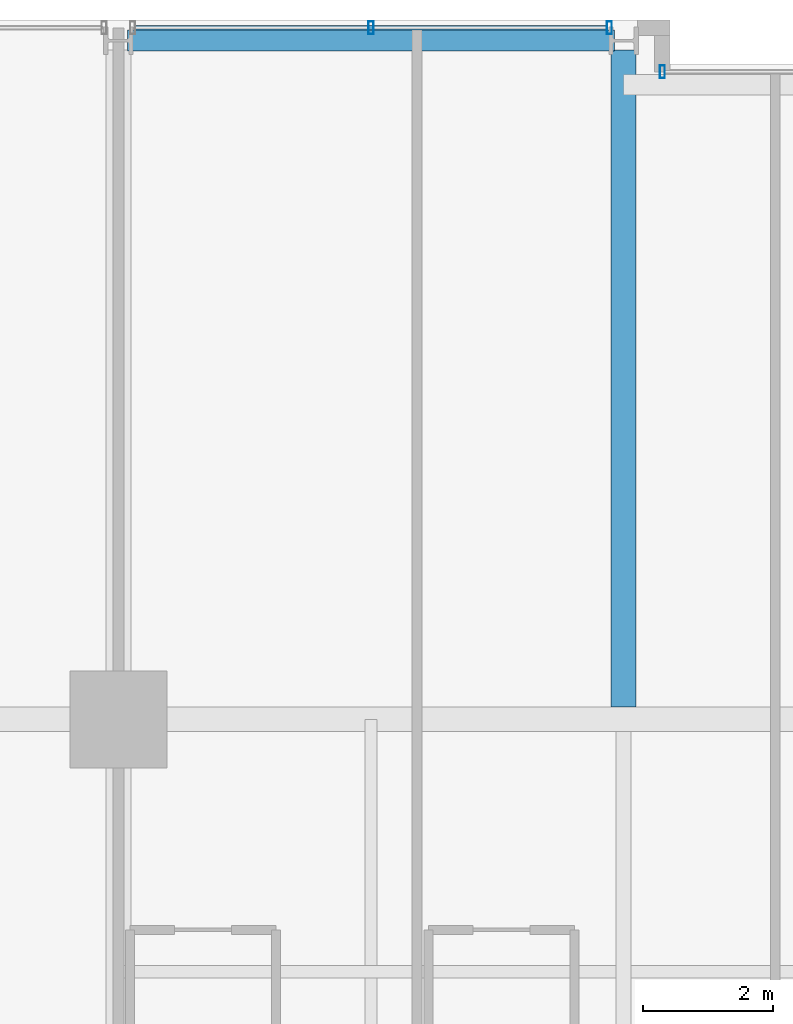
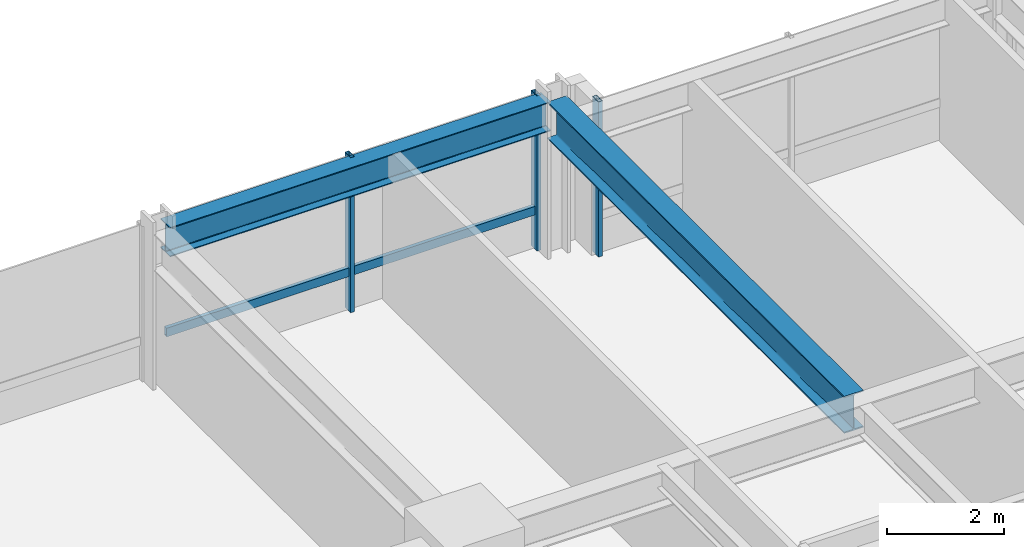
# One storey, part 21 of 34: 4 members, 2 beams, 2 elements without a shape of their own.
"""IFC4 building model written with IfcOpenShell, lengths in metres."""

from ifc_helpers import new_model, si_unit, direction, frame, origin, origin_2d, place, context, subcontext, project, spatial, hollow_rectangle, i_section, extrude, material, layer, layer_set, material_profile, profile_set, type_object, element, aggregate, save


model = new_model("IFC4")

# Units and contexts
model_context = context("Model", 3, precision=1e-05, world=origin(), true_north=direction((0.0, 1.0)))
body_context = subcontext(model_context, "Body", "Model", "MODEL_VIEW")
ifc_project = project(units=[si_unit("LENGTHUNIT", "METRE"), si_unit("AREAUNIT", "SQUARE_METRE"), si_unit("VOLUMEUNIT", "CUBIC_METRE"), si_unit("PLANEANGLEUNIT", "RADIAN"), si_unit("MASSUNIT", "GRAM", prefix="KILO")], contexts=[model_context])

# Site, building, storey
site_placement = place(None, origin())
site = spatial("IfcSite", under=ifc_project, at=site_placement, CompositionType="ELEMENT")
building_placement = place(site_placement, origin())
building = spatial("IfcBuilding", under=site, at=building_placement, Name="Drelvath Grand Hotel", CompositionType="ELEMENT")
storey_placement = place(building_placement, frame((0.0, 0.0, 91.800048828125)))
storey = spatial("IfcBuildingStorey", under=building, at=storey_placement, Name="L22", CompositionType="ELEMENT", Elevation=91.800048828125)

# Curtain wall, members
ifc_material_1 = material(Name="Champagne Bronze Anodised Aluminium Frame", Category="aluminium")
ifc_layer = layer(ifc_material_1, 0.199951171875)
ifc_layer_set = layer_set([ifc_layer], Name="Champagne Bronze Anodised Aluminium Frame")
curtain_wall_type = type_object("IfcCurtainWallType", Name="Stick Curtain Wall CW-03 Champagne Bronze Mid-Rise", PredefinedType="NOTDEFINED", material=ifc_layer_set)
curtain_wall_1_placement = place(storey_placement, origin())
curtain_wall_1 = element("IfcCurtainWall", 1, at=curtain_wall_1_placement, inside=storey, type_object=curtain_wall_type, Name="L22 CW-03 Curtain Wall CW03-L22-NW2", PredefinedType="NOTDEFINED")
ifc_material_profile_1 = material_profile(ifc_material_1, hollow_rectangle(XDim=0.074951171875, YDim=0.179931640625, WallThickness=0.0048828125, at=origin_2d()), Name="HSS180X75X5")
ifc_profile_set_1 = profile_set([ifc_material_profile_1], Name="Champagne Bronze Anodised Aluminium Frame")
member_type_1 = type_object("IfcMemberType", Name="Curtain Wall Horizontal Transom CW-03 HSS180X75X5", PredefinedType="USERDEFINED", material=ifc_profile_set_1)
member_1_placement = place(storey_placement, frame((-15.9404296875, 53.8798828125, 0.81005859375), z_axis=(1.0, 0.0, 0.0), x_axis=(0.0, 1.0, 0.0)))
member_1 = element("IfcMember", 2, at=member_1_placement, type_object=member_type_1, Name="CW03-L22-NW2 Sill Transom", ObjectType="TRANSOM", PredefinedType="USERDEFINED", context=body_context, shape_type="SweptSolid", body=[
    extrude(hollow_rectangle(XDim=0.074951171875, YDim=0.179931640625, WallThickness=0.0048828125, at=origin_2d()), origin(), (0.0, 0.0, 1.0), 7.28076171875),
])
ifc_material_profile_2 = material_profile(ifc_material_1, hollow_rectangle(XDim=0.080078125, YDim=0.199951171875, WallThickness=0.0048828125, at=origin_2d()), Name="HSS200X80X5")
ifc_profile_set_2 = profile_set([ifc_material_profile_2], Name="Champagne Bronze Anodised Aluminium Frame")
member_type_2 = type_object("IfcMemberType", Name="Curtain Wall Vertical Mullion CW-03 HSS200X80X5", PredefinedType="MULLION", material=ifc_profile_set_2)
member_2_placement = place(storey_placement, frame((-12.300048828125, 53.8798828125, 0.0), z_axis=(0.0, 0.0, 1.0), x_axis=(1.0, 0.0, 0.0)))
member_2 = element("IfcMember", 3, at=member_2_placement, type_object=member_type_2, Name="CW03-L22-NW2 Mullion 2", PredefinedType="MULLION", context=body_context, shape_type="SweptSolid", body=[
    extrude(hollow_rectangle(XDim=0.080078125, YDim=0.199951171875, WallThickness=0.0048828125, at=origin_2d()), origin(), (0.0, 0.0, 1.0), 3.239990234375),
])
member_3_placement = place(storey_placement, frame((-8.61962890625, 53.8798828125, 0.0), z_axis=(0.0, 0.0, 1.0), x_axis=(1.0, 0.0, 0.0)))
member_3 = element("IfcMember", 4, at=member_3_placement, type_object=member_type_2, Name="CW03-L22-NW2 Mullion 3", PredefinedType="MULLION", context=body_context, shape_type="SweptSolid", body=[
    extrude(hollow_rectangle(XDim=0.080078125, YDim=0.199951171875, WallThickness=0.0048828125, at=origin_2d()), origin(), (0.0, 0.0, 1.0), 3.239990234375),
])
aggregate(curtain_wall_1, [member_2, member_3, member_1])

# Curtain wall, member
curtain_wall_2_placement = place(storey_placement, origin())
curtain_wall_2 = element("IfcCurtainWall", 5, at=curtain_wall_2_placement, inside=storey, type_object=curtain_wall_type, Name="L22 CW-03 Curtain Wall CW03-L22-NM1", PredefinedType="NOTDEFINED")
member_4_placement = place(storey_placement, frame((-7.800048828125, 53.199951171875, 0.0), z_axis=(0.0, 0.0, 1.0), x_axis=(1.0, 0.0, 0.0)))
member_4 = element("IfcMember", 6, at=member_4_placement, type_object=member_type_2, Name="CW03-L22-NM1 Mullion 1", PredefinedType="MULLION", context=body_context, shape_type="SweptSolid", body=[
    extrude(hollow_rectangle(XDim=0.080078125, YDim=0.199951171875, WallThickness=0.0048828125, at=origin_2d()), origin(), (0.0, 0.0, 1.0), 3.239990234375),
])
aggregate(curtain_wall_2, [member_4])

# Beams
ifc_material_2 = material(Name="Steel ASTM A992 Gr 50", Category="steel")
ifc_material_profile_3 = material_profile(ifc_material_2, i_section(OverallWidth=0.323974609375, OverallDepth=0.611083984375, WebThickness=0.0126953125, FlangeThickness=0.01904296875, FilletRadius=0.02197265625, at=origin_2d()), Name="W24X104")
ifc_profile_set_3 = profile_set([ifc_material_profile_3], Name="Steel ASTM A992 Gr 50")
beam_type_1 = type_object("IfcBeamType", Name="Perimeter Spandrel Beam W24X104", PredefinedType="SPANDREL", material=ifc_profile_set_3)
beam_1_placement = place(storey_placement, frame((-16.06005859375, 53.679931640625, 2.9345703125), z_axis=(1.0, 0.0, 0.0), x_axis=(0.0, 1.0, 0.0)))
element("IfcBeam", 7, at=beam_1_placement, inside=storey, type_object=beam_type_1, Name="L22 Spandrel North W", PredefinedType="SPANDREL", context=body_context, shape_type="SweptSolid", body=[
    extrude(i_section(OverallWidth=0.323974609375, OverallDepth=0.611083984375, WebThickness=0.0126953125, FlangeThickness=0.01904296875, FilletRadius=0.02197265625, at=origin_2d()), origin(), (0.0, 0.0, 1.0), 7.52001953125),
])
ifc_material_profile_4 = material_profile(ifc_material_2, i_section(OverallWidth=0.380615234375, OverallDepth=0.773193359375, WebThickness=0.0166015625, FlangeThickness=0.027099609375, FilletRadius=0.02490234375, at=origin_2d()), Name="W30X173")
ifc_profile_set_4 = profile_set([ifc_material_profile_4], Name="Steel ASTM A992 Gr 50")
beam_type_2 = type_object("IfcBeamType", Name="Primary Floor Girder W30X173", PredefinedType="BEAM", material=ifc_profile_set_4)
beam_2_placement = place(storey_placement, frame((-8.39990234375, 43.390380859375, 2.853271484375), z_axis=(0.0, 1.0, 0.0), x_axis=(-1.0, 0.0, 0.0)))
element("IfcBeam", 8, at=beam_2_placement, inside=storey, type_object=beam_type_2, Name="L22 North Wing Girder 4", PredefinedType="BEAM", context=body_context, shape_type="SweptSolid", body=[
    extrude(i_section(OverallWidth=0.380615234375, OverallDepth=0.773193359375, WebThickness=0.0166015625, FlangeThickness=0.027099609375, FilletRadius=0.02490234375, at=origin_2d()), origin(), (0.0, 0.0, 1.0), 10.149658203125),
])

save(model, "model.ifc")
